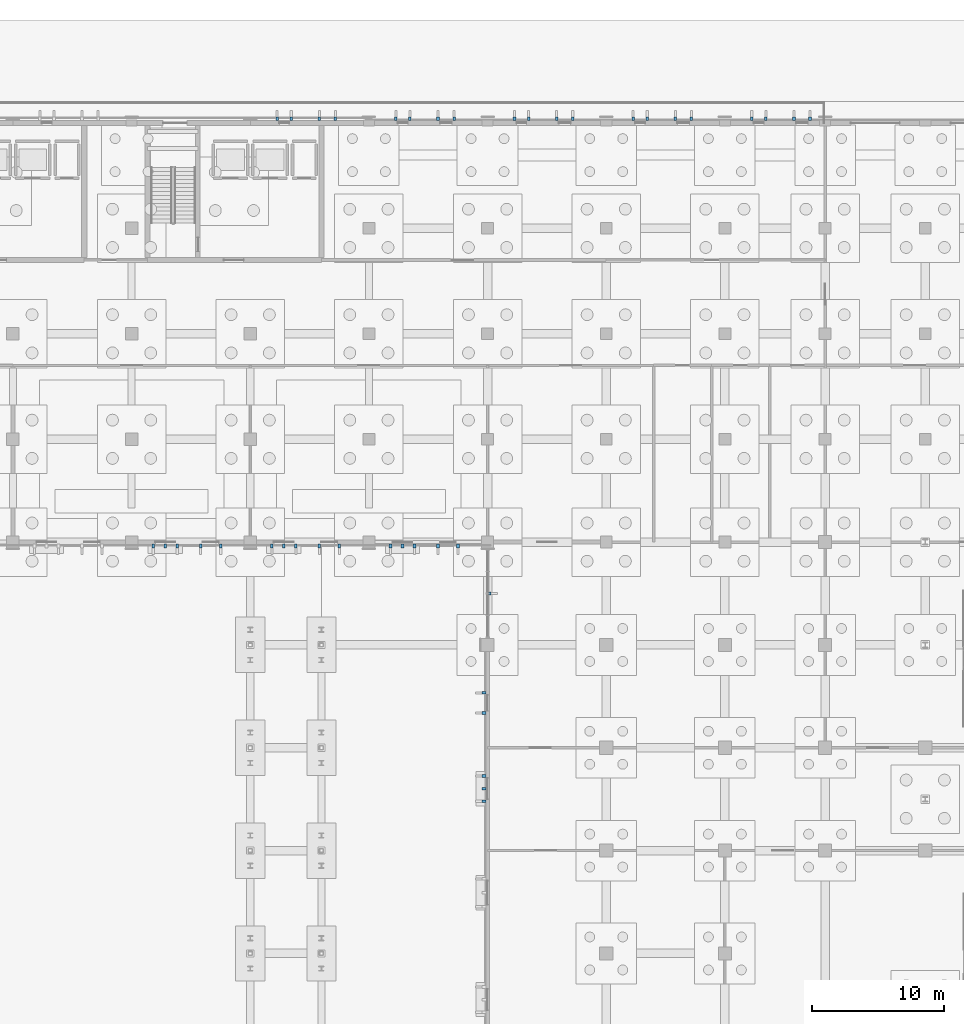
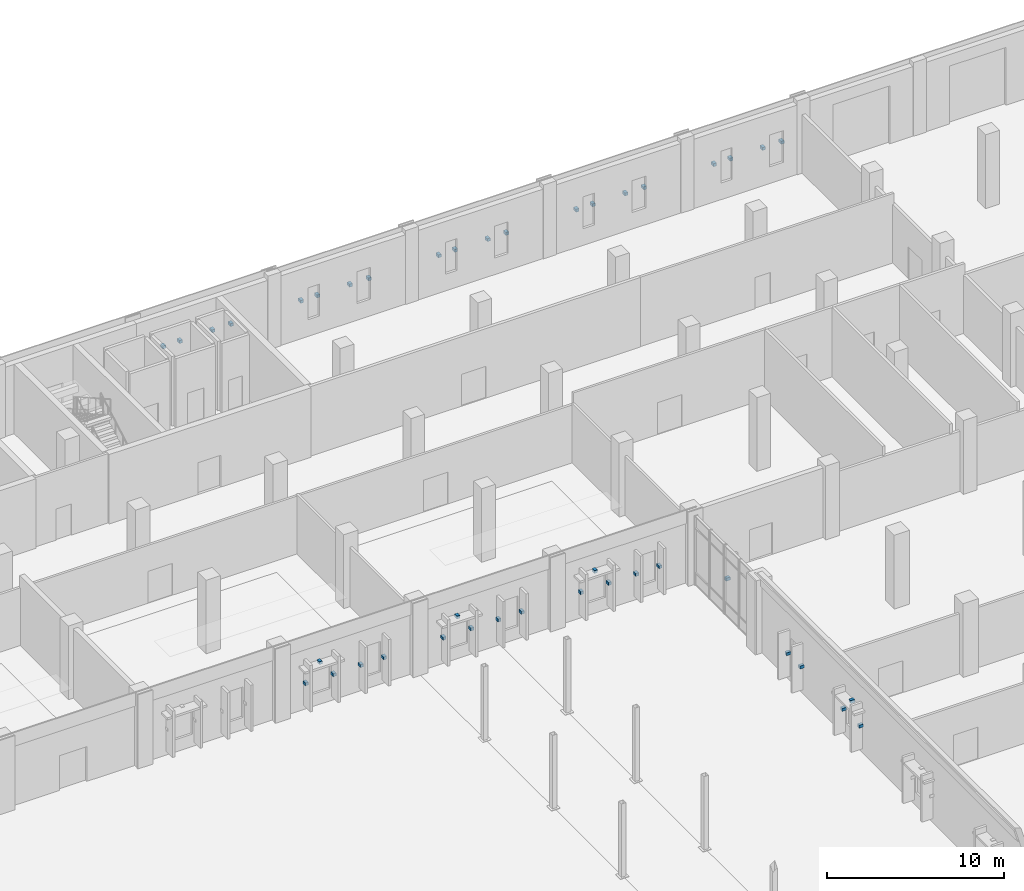
# One storey, part 76 of 94: 41 discrete accessories.
"""IFC4 building model written with IfcOpenShell, lengths in metres."""

from ifc_helpers import new_model, si_unit, direction, frame, origin, origin_2d, place, context, subcontext, project, spatial, rectangle, extrude, material, type_object, element, save


model = new_model("IFC4")

# Units and contexts
model_context = context("Model", 3, precision=1e-05, world=origin(), true_north=direction((0.0, 1.0)))
body_context = subcontext(model_context, "Body", "Model", "MODEL_VIEW")
ifc_project = project(units=[si_unit("LENGTHUNIT", "METRE"), si_unit("AREAUNIT", "SQUARE_METRE"), si_unit("VOLUMEUNIT", "CUBIC_METRE"), si_unit("PLANEANGLEUNIT", "RADIAN"), si_unit("MASSUNIT", "GRAM", prefix="KILO")], contexts=[model_context])

# Site, building, storey
site_placement = place(None, origin())
site = spatial("IfcSite", under=ifc_project, at=site_placement, CompositionType="ELEMENT")
building_placement = place(site_placement, origin())
building = spatial("IfcBuilding", under=site, at=building_placement, Name="Vervanel Yard Central Library", CompositionType="ELEMENT")
storey_placement = place(building_placement, origin())
storey = spatial("IfcBuildingStorey", under=building, at=storey_placement, Name="L00", CompositionType="ELEMENT", Elevation=0.0)

# Discrete accessories
ifc_material = material(Name="Steel ASTM A572 Grade 50", Category="steel")
discrete_accessory_type = type_object("IfcDiscreteAccessoryType", Name="Stainless Solar Fin Fixing Bracket", PredefinedType="BRACKET", material=ifc_material)
for number, where, z_axis, x_axis, name in (
    (1, (74.0400390625, 114.31005859375, 2.14990234375), (0.0, 0.0, 1.0), (1.0, 0.0, 0.0), "L00 Solar Fin Bracket 9"),
    (2, (75.110107421875, 114.31005859375, 2.14990234375), (0.0, 0.0, 1.0), (1.0, 0.0, 0.0), "L00 Solar Fin Bracket 10"),
    (3, (77.239990234375, 114.31005859375, 2.14990234375), (0.0, 0.0, 1.0), (1.0, 0.0, 0.0), "L00 Solar Fin Bracket 11"),
    (4, (78.4599609375, 114.31005859375, 2.14990234375), (0.0, 0.0, 1.0), (1.0, 0.0, 0.0), "L00 Solar Fin Bracket 12"),
    (5, (83.0400390625, 114.31005859375, 2.14990234375), (0.0, 0.0, 1.0), (1.0, 0.0, 0.0), "L00 Solar Fin Bracket 13"),
    (6, (84.110107421875, 114.31005859375, 2.14990234375), (0.0, 0.0, 1.0), (1.0, 0.0, 0.0), "L00 Solar Fin Bracket 14"),
    (7, (86.239990234375, 114.31005859375, 2.14990234375), (0.0, 0.0, 1.0), (1.0, 0.0, 0.0), "L00 Solar Fin Bracket 15"),
    (8, (87.4599609375, 114.31005859375, 2.14990234375), (0.0, 0.0, 1.0), (1.0, 0.0, 0.0), "L00 Solar Fin Bracket 16"),
    (9, (92.0400390625, 114.31005859375, 2.14990234375), (0.0, 0.0, 1.0), (1.0, 0.0, 0.0), "L00 Solar Fin Bracket 17"),
    (10, (93.110107421875, 114.31005859375, 2.14990234375), (0.0, 0.0, 1.0), (1.0, 0.0, 0.0), "L00 Solar Fin Bracket 18"),
    (11, (95.239990234375, 114.31005859375, 2.14990234375), (0.0, 0.0, 1.0), (1.0, 0.0, 0.0), "L00 Solar Fin Bracket 19"),
    (12, (96.4599609375, 114.31005859375, 2.14990234375), (0.0, 0.0, 1.0), (1.0, 0.0, 0.0), "L00 Solar Fin Bracket 20"),
    (13, (101.0400390625, 114.31005859375, 2.14990234375), (0.0, 0.0, 1.0), (1.0, 0.0, 0.0), "L00 Solar Fin Bracket 21"),
    (14, (102.110107421875, 114.31005859375, 2.14990234375), (0.0, 0.0, 1.0), (1.0, 0.0, 0.0), "L00 Solar Fin Bracket 22"),
    (15, (104.239990234375, 114.31005859375, 2.14990234375), (0.0, 0.0, 1.0), (1.0, 0.0, 0.0), "L00 Solar Fin Bracket 23"),
    (16, (105.4599609375, 114.31005859375, 2.14990234375), (0.0, 0.0, 1.0), (1.0, 0.0, 0.0), "L00 Solar Fin Bracket 24"),
    (17, (110.0400390625, 114.31005859375, 2.14990234375), (0.0, 0.0, 1.0), (1.0, 0.0, 0.0), "L00 Solar Fin Bracket 25"),
    (18, (111.110107421875, 114.31005859375, 2.14990234375), (0.0, 0.0, 1.0), (1.0, 0.0, 0.0), "L00 Solar Fin Bracket 26"),
    (19, (113.239990234375, 114.31005859375, 2.14990234375), (0.0, 0.0, 1.0), (1.0, 0.0, 0.0), "L00 Solar Fin Bracket 27"),
    (20, (114.4599609375, 114.31005859375, 2.14990234375), (0.0, 0.0, 1.0), (1.0, 0.0, 0.0), "L00 Solar Fin Bracket 28"),
    (21, (64.639892578125, 81.909912109375, 1.7998046875), (0.0, 0.0, 1.0), (1.0, 0.0, 0.0), "L00 Solar Fin Bracket 37"),
    (22, (66.4599609375, 81.909912109375, 1.7998046875), (0.0, 0.0, 1.0), (1.0, 0.0, 0.0), "L00 Solar Fin Bracket 38"),
    (23, (65.550048828125, 81.909912109375, 2.9501953125), (0.0, 0.0, 1.0), (1.0, 0.0, 0.0), "L00 Sunhood Bracket 3"),
    (24, (68.239990234375, 81.909912109375, 1.7998046875), (0.0, 0.0, 1.0), (1.0, 0.0, 0.0), "L00 Solar Fin Bracket 39"),
    (25, (69.760009765625, 81.909912109375, 1.7998046875), (0.0, 0.0, 1.0), (1.0, 0.0, 0.0), "L00 Solar Fin Bracket 40"),
    (26, (73.639892578125, 81.909912109375, 1.7998046875), (0.0, 0.0, 1.0), (1.0, 0.0, 0.0), "L00 Solar Fin Bracket 41"),
    (27, (75.4599609375, 81.909912109375, 1.7998046875), (0.0, 0.0, 1.0), (1.0, 0.0, 0.0), "L00 Solar Fin Bracket 42"),
    (28, (74.550048828125, 81.909912109375, 2.9501953125), (0.0, 0.0, 1.0), (1.0, 0.0, 0.0), "L00 Sunhood Bracket 4"),
    (29, (77.239990234375, 81.909912109375, 1.7998046875), (0.0, 0.0, 1.0), (1.0, 0.0, 0.0), "L00 Solar Fin Bracket 43"),
    (30, (78.760009765625, 81.909912109375, 1.7998046875), (0.0, 0.0, 1.0), (1.0, 0.0, 0.0), "L00 Solar Fin Bracket 44"),
    (31, (82.639892578125, 81.909912109375, 1.7998046875), (0.0, 0.0, 1.0), (1.0, 0.0, 0.0), "L00 Solar Fin Bracket 45"),
    (32, (84.4599609375, 81.909912109375, 1.7998046875), (0.0, 0.0, 1.0), (1.0, 0.0, 0.0), "L00 Solar Fin Bracket 46"),
    (33, (83.550048828125, 81.909912109375, 2.9501953125), (0.0, 0.0, 1.0), (1.0, 0.0, 0.0), "L00 Sunhood Bracket 5"),
    (34, (86.239990234375, 81.909912109375, 1.7998046875), (0.0, 0.0, 1.0), (1.0, 0.0, 0.0), "L00 Solar Fin Bracket 47"),
    (35, (87.760009765625, 81.909912109375, 1.7998046875), (0.0, 0.0, 1.0), (1.0, 0.0, 0.0), "L00 Solar Fin Bracket 48"),
    (36, (89.72998046875, 62.5400390625, 1.8251953125), (0.0, 0.0, 1.0), (0.0, 1.0, 0.0), "L00 Solar Fin Bracket 433"),
    (37, (89.72998046875, 64.4599609375, 1.8251953125), (0.0, 0.0, 1.0), (0.0, 1.0, 0.0), "L00 Solar Fin Bracket 434"),
    (38, (89.72998046875, 63.5, 2.9501953125), (0.0, 0.0, 1.0), (0.0, 1.0, 0.0), "L00 Sunhood Bracket 96"),
    (39, (89.72998046875, 69.239990234375, 1.85009765625), (0.0, 0.0, 1.0), (0.0, 1.0, 0.0), "L00 Solar Fin Bracket 435"),
    (40, (89.72998046875, 70.760009765625, 1.85009765625), (0.0, 0.0, 1.0), (0.0, 1.0, 0.0), "L00 Solar Fin Bracket 436"),
    (41, (90.1298828125, 78.300048828125, 2.2900390625), (0.0, 0.0, 1.0), (0.0, 1.0, 0.0), "L00 Solar Fin Bracket 437"),
):
    element("IfcDiscreteAccessory", number, at=place(storey_placement, frame(where, z_axis=z_axis, x_axis=x_axis)), inside=storey, type_object=discrete_accessory_type, Name=name, PredefinedType="BRACKET", context=body_context, shape_type="SweptSolid", body=[
        extrude(rectangle(XDim=0.199951171875, YDim=0.280029296875, at=origin_2d()), origin(), (0.0, 0.0, 1.0), 0.199951171875),
    ])

save(model, "model.ifc")
